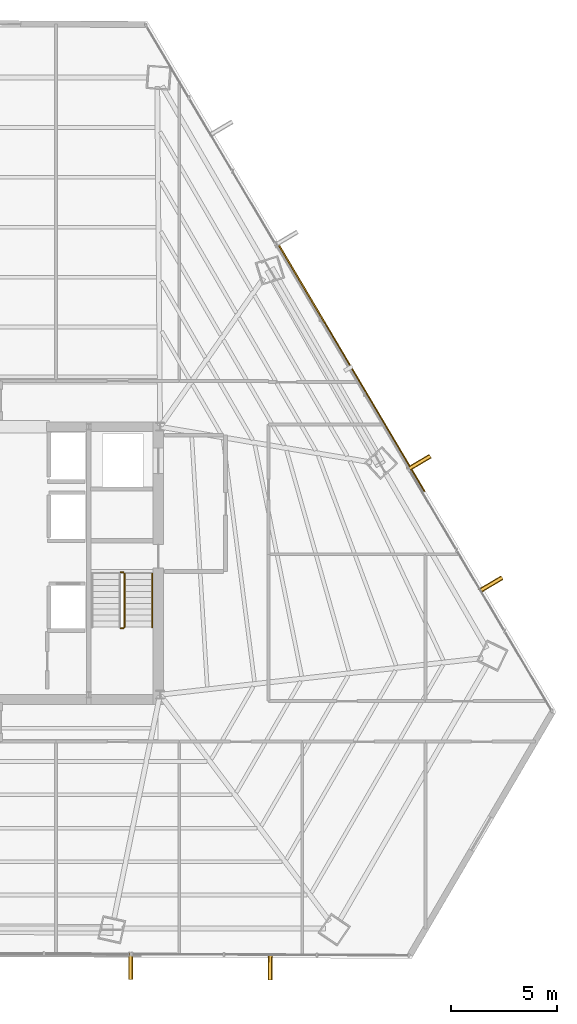
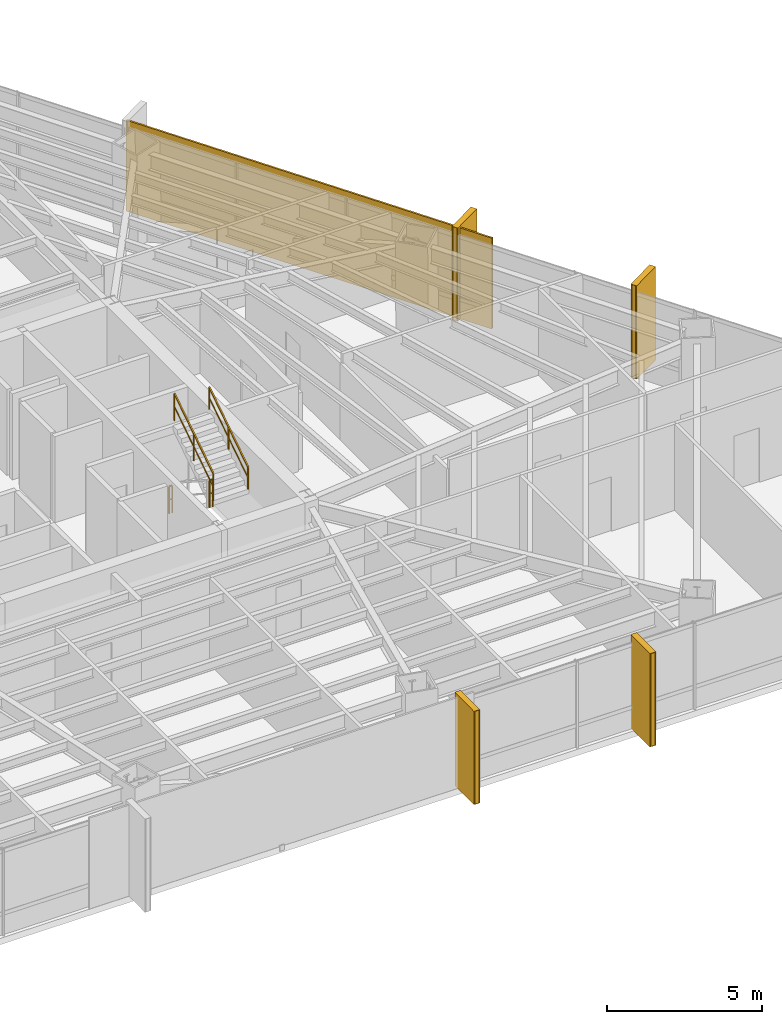
# One storey, part 36 of 37: 5 shading devices, 4 coverings, 4 railings.
"""IFC4 building model written with IfcOpenShell, lengths in metres."""

from ifc_helpers import new_model, si_unit, direction, frame, origin, origin_2d, place, context, subcontext, project, spatial, rectangle, extrude, source, transform, mapped, material, layer, layer_set, type_object, type_shapes, element, save


model = new_model("IFC4")

# Units and contexts
model_context = context("Model", 3, precision=1e-05, world=origin(), true_north=direction((0.0, 1.0)))
body_context = subcontext(model_context, "Body", "Model", "MODEL_VIEW")
ifc_project = project(units=[si_unit("LENGTHUNIT", "METRE"), si_unit("AREAUNIT", "SQUARE_METRE"), si_unit("VOLUMEUNIT", "CUBIC_METRE"), si_unit("PLANEANGLEUNIT", "RADIAN"), si_unit("MASSUNIT", "GRAM", prefix="KILO")], contexts=[model_context])

# Site, building, storey
site_placement = place(None, origin())
site = spatial("IfcSite", under=ifc_project, at=site_placement, CompositionType="ELEMENT")
building_placement = place(site_placement, origin())
building = spatial("IfcBuilding", under=site, at=building_placement, Name="Caelisora Broadcast Tower", CompositionType="ELEMENT")
storey_placement = place(building_placement, frame((0.0, 0.0, 105.39990234375)))
storey = spatial("IfcBuildingStorey", under=building, at=storey_placement, Name="L27", CompositionType="ELEMENT", Elevation=105.39990234375)

# Railings
ifc_material_1 = material(Name="Galvanised Steel Safety Guardrail", Category="steel")
ifc_layer_1 = layer(ifc_material_1, 0.048095703125, Name="Galvanised Steel Safety Guardrail")
ifc_layer_set_1 = layer_set([ifc_layer_1], Name="Galvanised Steel Safety Guardrail")
railing_type_1 = type_object("IfcRailingType", Name="GR-1", PredefinedType="GUARDRAIL", material=ifc_layer_set_1)
railing_1_placement = place(storey_placement, frame((43.659912109375, 20.530029296875, 1.8251953125)))
element("IfcRailing", 1, at=railing_1_placement, inside=storey, type_object=railing_type_1, Name="L27 ST-2 stair guard 2", PredefinedType="GUARDRAIL", context=body_context, shape_type="SweptSolid", body=[
    extrude(rectangle(XDim=0.048095703125, YDim=0.048095703125, at=origin_2d()), frame((0.0, 0.0, 1.076171875), z_axis=(1.0, 0.0, 0.0), x_axis=(0.0, 1.0, 0.0)), (0.0, 0.0, 1.0), 0.1201171875),
    extrude(rectangle(XDim=0.03125, YDim=0.03125, at=origin_2d()), frame((0.0, 0.0, 0.550048828125), z_axis=(1.0, 0.0, 0.0), x_axis=(0.0, 1.0, 0.0)), (0.0, 0.0, 1.0), 0.1201171875),
    extrude(rectangle(XDim=0.0419921875, YDim=0.0419921875, at=origin_2d()), origin(), (0.0, 0.0, 1.0), 1.052001953125),
    extrude(rectangle(XDim=0.0419921875, YDim=0.0419921875, at=origin_2d()), frame((0.1201171875, 0.0, 0.0)), (0.0, 0.0, 1.0), 1.052001953125),
])
railing_2_placement = place(storey_placement, frame((43.830078125, 20.580078125, 2.007568359375)))
element("IfcRailing", 2, at=railing_2_placement, inside=storey, type_object=railing_type_1, Name="L27 ST-2 stair guard 3", PredefinedType="GUARDRAIL", context=body_context, shape_type="SweptSolid", body=[
    extrude(rectangle(XDim=0.048095703125, YDim=0.048095703125, at=origin_2d()), frame((0.0, 0.0, 1.076171875), z_axis=(0.0, 0.837749427056, 0.546054848405), x_axis=(-1.0, 0.0, 0.0)), (0.0, 0.0, 1.0), 3.008056640625),
    extrude(rectangle(XDim=0.03125, YDim=0.03125, at=origin_2d()), frame((0.0, 0.0, 0.550048828125), z_axis=(0.0, 0.837749427056, 0.546054848405), x_axis=(-1.0, 0.0, 0.0)), (0.0, 0.0, 1.0), 3.008056640625),
    extrude(rectangle(XDim=0.0419921875, YDim=0.0419921875, at=origin_2d()), origin(), (0.0, 0.0, 1.0), 1.052001953125),
    extrude(rectangle(XDim=0.0419921875, YDim=0.0419921875, at=origin_2d()), frame((0.0, 1.260009765625, 0.8212890625)), (0.0, 0.0, 1.0), 1.052001953125),
    extrude(rectangle(XDim=0.0419921875, YDim=0.0419921875, at=origin_2d()), frame((0.0, 2.52001953125, 1.642578125)), (0.0, 0.0, 1.0), 1.052001953125),
])
railing_3_placement = place(storey_placement, frame((43.659912109375, 23.14990234375, 0.0)))
element("IfcRailing", 3, at=railing_3_placement, inside=storey, type_object=railing_type_1, Name="L27 ST-2 stair guard 4", PredefinedType="GUARDRAIL", context=body_context, shape_type="SweptSolid", body=[
    extrude(rectangle(XDim=0.048095703125, YDim=0.048095703125, at=origin_2d()), frame((0.0, 0.0, 1.076171875), z_axis=(1.0, 0.0, 0.0), x_axis=(0.0, 1.0, 0.0)), (0.0, 0.0, 1.0), 0.1201171875),
    extrude(rectangle(XDim=0.03125, YDim=0.03125, at=origin_2d()), frame((0.0, 0.0, 0.550048828125), z_axis=(1.0, 0.0, 0.0), x_axis=(0.0, 1.0, 0.0)), (0.0, 0.0, 1.0), 0.1201171875),
    extrude(rectangle(XDim=0.0419921875, YDim=0.0419921875, at=origin_2d()), origin(), (0.0, 0.0, 1.0), 1.052001953125),
    extrude(rectangle(XDim=0.0419921875, YDim=0.0419921875, at=origin_2d()), frame((0.1201171875, 0.0, 0.0)), (0.0, 0.0, 1.0), 1.052001953125),
])
ifc_material_2 = material(Name="Stainless Steel Grade 316 Tubular Handrail", Category="steel")
ifc_layer_2 = layer(ifc_material_2, 0.048095703125, Name="Stainless Steel Grade 316 Tubular Handrail")
ifc_layer_set_2 = layer_set([ifc_layer_2], Name="Stainless Steel Grade 316 Tubular Handrail")
railing_type_2 = type_object("IfcRailingType", Name="HR-1", PredefinedType="HANDRAIL", material=ifc_layer_set_2)
railing_4_placement = place(storey_placement, frame((45.1298828125, 20.580078125, 2.007568359375)))
element("IfcRailing", 4, at=railing_4_placement, inside=storey, type_object=railing_type_2, Name="L27 ST-2 stair handrail 2", PredefinedType="HANDRAIL", context=body_context, shape_type="SweptSolid", body=[
    extrude(rectangle(XDim=0.048095703125, YDim=0.048095703125, at=origin_2d()), frame((0.0, 0.0, 0.8759765625), z_axis=(0.0, 0.837749427056, 0.546054848405), x_axis=(-1.0, 0.0, 0.0)), (0.0, 0.0, 1.0), 3.008056640625),
    extrude(rectangle(XDim=0.03125, YDim=0.03125, at=origin_2d()), frame((0.0, 0.0, 0.449951171875), z_axis=(0.0, 0.837749427056, 0.546054848405), x_axis=(-1.0, 0.0, 0.0)), (0.0, 0.0, 1.0), 3.008056640625),
    extrude(rectangle(XDim=0.0419921875, YDim=0.0419921875, at=origin_2d()), origin(), (0.0, 0.0, 1.0), 0.851806640625),
    extrude(rectangle(XDim=0.0419921875, YDim=0.0419921875, at=origin_2d()), frame((0.0, 1.260009765625, 0.8212890625)), (0.0, 0.0, 1.0), 0.851806640625),
    extrude(rectangle(XDim=0.0419921875, YDim=0.0419921875, at=origin_2d()), frame((0.0, 2.52001953125, 1.642578125)), (0.0, 0.0, 1.0), 0.851806640625),
])

# Coverings
ifc_material_3 = material(Name="Kiln-Fired Terracotta Spandrel Rainscreen Cladding", Category="ceramic")
ifc_layer_3 = layer(ifc_material_3, 0.044921875, Name="Kiln-Fired Terracotta Spandrel Rainscreen Cladding")
ifc_layer_set_3 = layer_set([ifc_layer_3], Name="Kiln-Fired Terracotta Spandrel Rainscreen Cladding")
covering_type = type_object("IfcCoveringType", Name="CL-1", PredefinedType="CLADDING", material=ifc_layer_set_3)
shared_shape_1 = source(origin(), body_context, "Body", "SweptSolid", [
    extrude(rectangle(XDim=0.219970703125, YDim=1.25, at=origin_2d()), origin(), (0.0, 0.0, 1.0), 3.68994140625),
])
type_shapes(covering_type, [shared_shape_1])
for number, where, z_axis, x_axis, name in (
    (5, (57.669189453125, 28.30078125, -0.019775390625), (0.0, 0.0, 1.0), (0.509492029423, -0.860475375565, 0.0), "L27 vertical solar fin cladding #1-3"),
    (6, (61.051025390625, 22.58837890625, -0.019775390625), (0.0, 0.0, 1.0), (0.509492029423, -0.860475375565, 0.0), "L27 vertical solar fin cladding #1-4"),
    (7, (50.6806640625, 4.6142578125, -0.019775390625), (0.0, 0.0, 1.0), (-0.999989703949, 0.004537840481, 0.0), "L27 vertical solar fin cladding #2-1"),
    (8, (44.118896484375, 4.644287109375, -0.019775390625), (0.0, 0.0, 1.0), (-0.999989703949, 0.004537840481, 0.0), "L27 vertical solar fin cladding #2-2"),
):
    element("IfcCovering", number, at=place(storey_placement, frame(where, z_axis=z_axis, x_axis=x_axis)), inside=storey, type_object=covering_type, Name=name, PredefinedType="CLADDING", context=body_context, shape_type="MappedRepresentation", body=[
        mapped(shared_shape_1, transform((0.0, 0.0, 0.0), scale=1.0)),
    ])

# Shading devices
ifc_material_4 = material(Name="Extruded Terracotta Flaring Colonnade Fin", Category="ceramic")
ifc_layer_4 = layer(ifc_material_4, 0.139892578125, Name="Extruded Terracotta Flaring Colonnade Fin")
ifc_layer_set_4 = layer_set([ifc_layer_4], Name="Extruded Terracotta Flaring Colonnade Fin")
shading_device_type_1 = type_object("IfcShadingDeviceType", Name="FN-1", PredefinedType="USERDEFINED", material=ifc_layer_set_4)
shared_shape_2 = source(origin(), body_context, "Body", "SweptSolid", [
    extrude(rectangle(XDim=0.139892578125, YDim=1.25, at=origin_2d()), origin(), (0.0, 0.0, 1.0), 3.669921875),
])
type_shapes(shading_device_type_1, [shared_shape_2])
for number, where, z_axis, x_axis, name in (
    (9, (57.669189453125, 28.30078125, -0.009765625), (0.0, 0.0, 1.0), (0.509492029423, -0.860475375565, 0.0), "L27 vertical terracotta fin #1-3"),
    (10, (61.051025390625, 22.58837890625, -0.009765625), (0.0, 0.0, 1.0), (0.509492029423, -0.860475375565, 0.0), "L27 vertical terracotta fin #1-4"),
    (11, (50.6806640625, 4.6142578125, -0.009765625), (0.0, 0.0, 1.0), (-0.999989703949, 0.004537840481, 0.0), "L27 vertical terracotta fin #2-1"),
    (12, (44.118896484375, 4.644287109375, -0.009765625), (0.0, 0.0, 1.0), (-0.999989703949, 0.004537840481, 0.0), "L27 vertical terracotta fin #2-2"),
):
    element("IfcShadingDevice", number, at=place(storey_placement, frame(where, z_axis=z_axis, x_axis=x_axis)), inside=storey, type_object=shading_device_type_1, Name=name, ObjectType="FIN", PredefinedType="USERDEFINED", context=body_context, shape_type="MappedRepresentation", body=[
        mapped(shared_shape_2, transform((0.0, 0.0, 0.0), scale=1.0)),
    ])
ifc_material_5 = material(Name="Perforated Glazed Terracotta Baguette Solar Screen", Category="ceramic")
ifc_layer_5 = layer(ifc_material_5, 0.06494140625, Name="Perforated Glazed Terracotta Baguette Solar Screen")
ifc_layer_set_5 = layer_set([ifc_layer_5], Name="Perforated Glazed Terracotta Baguette Solar Screen")
shading_device_type_2 = type_object("IfcShadingDeviceType", Name="SS-1", PredefinedType="USERDEFINED", material=ifc_layer_set_5)
shared_shape_3 = source(origin(), body_context, "Body", "SweptSolid", [
    extrude(rectangle(XDim=13.583984375, YDim=0.06494140625, at=origin_2d()), origin(), (0.0, 0.0, 1.0), 3.590087890625),
])
type_shapes(shading_device_type_2, [shared_shape_3])
shading_device_placement = place(storey_placement, frame((54.4794921875, 32.80517578125, 0.0), z_axis=(0.0, 0.0, 1.0), x_axis=(-0.509492029423, 0.860475375565, 0.0)))
element("IfcShadingDevice", 13, at=shading_device_placement, inside=storey, type_object=shading_device_type_2, Name="L27 perforated terracotta solar screen #3", ObjectType="SOLAR SCREEN", PredefinedType="USERDEFINED", context=body_context, shape_type="MappedRepresentation", body=[
    mapped(shared_shape_3, transform((0.0, 0.0, 0.0), scale=1.0)),
])

save(model, "model.ifc")
